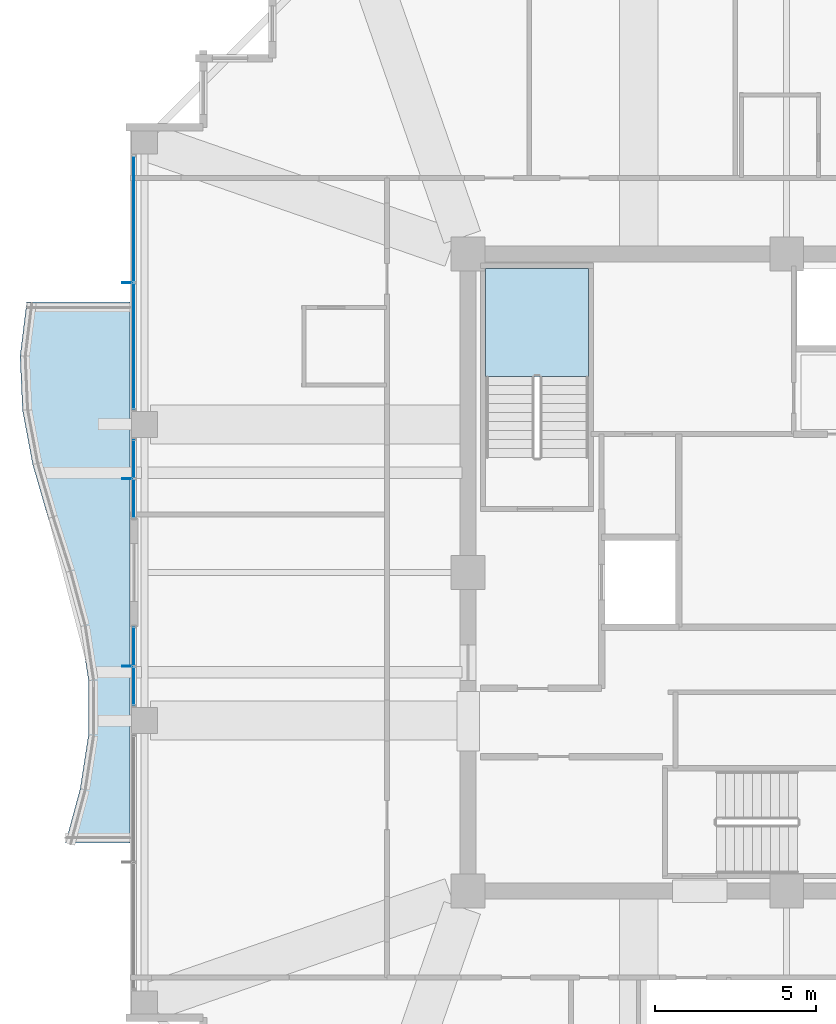
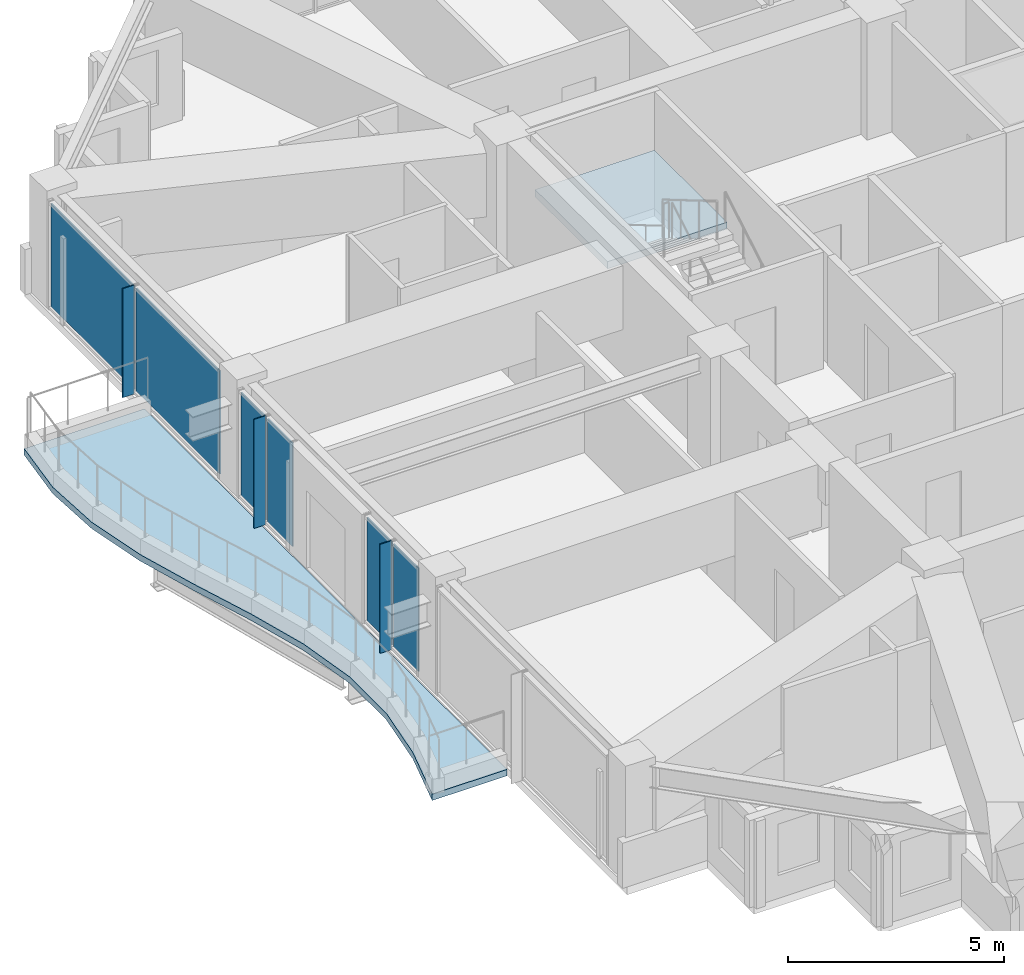
# One storey, part 24 of 35: 9 plates, 2 slabs, 4 elements without a shape of their own.
"""IFC4 building model written with IfcOpenShell, lengths in metres."""

from ifc_helpers import new_model, si_unit, direction, frame, origin, origin_2d, place, context, subcontext, project, spatial, polyline, rectangle, outline, extrude, material, layer, layer_set, type_object, element, aggregate, save


model = new_model("IFC4")

# Units and contexts
model_context = context("Model", 3, precision=1e-05, world=origin(), true_north=direction((0.0, 1.0)))
body_context = subcontext(model_context, "Body", "Model", "MODEL_VIEW")
ifc_project = project(units=[si_unit("LENGTHUNIT", "METRE"), si_unit("AREAUNIT", "SQUARE_METRE"), si_unit("VOLUMEUNIT", "CUBIC_METRE"), si_unit("PLANEANGLEUNIT", "RADIAN"), si_unit("MASSUNIT", "GRAM", prefix="KILO")], contexts=[model_context])

# Site, building, storey
site_placement = place(None, origin())
site = spatial("IfcSite", under=ifc_project, at=site_placement, CompositionType="ELEMENT")
building_placement = place(site_placement, origin())
building = spatial("IfcBuilding", under=site, at=building_placement, Name="Kolvaren Belvedere", CompositionType="ELEMENT")
storey_placement = place(building_placement, frame((0.0, 0.0, 203.10009765625)))
storey = spatial("IfcBuildingStorey", under=building, at=storey_placement, Name="L59", CompositionType="ELEMENT", Elevation=203.10009765625)

# Curtain wall, plates
ifc_material_1 = material(Name="Anodised pale-metal aluminium AA 6063-T6", Category="aluminium")
curtain_wall_type = type_object("IfcCurtainWallType", Name="CW-Z5-HIGH", PredefinedType="NOTDEFINED", material=ifc_material_1)
curtain_wall_1_placement = place(storey_placement, origin())
curtain_wall_1 = element("IfcCurtainWall", 1, at=curtain_wall_1_placement, inside=storey, type_object=curtain_wall_type, Name="L59 Unitised Curtain Wall FCW-L59-W1-B2", PredefinedType="NOTDEFINED")
ifc_material_2 = material(Name="Low-iron triple insulated glass", Category="glass")
ifc_layer_1 = layer(ifc_material_2, 0.028076171875)
ifc_layer_set_1 = layer_set([ifc_layer_1], Name="Low-iron triple insulated glass")
plate_type_1 = type_object("IfcPlateType", Name="CW-PNL-VIS28", PredefinedType="CURTAIN_PANEL", material=ifc_layer_set_1)
plate_1_placement = place(storey_placement, frame((-20.280029296875, -3.52880859375, 0.079833984375), z_axis=(0.0, 0.0, 1.0), x_axis=(0.0, 1.0, 0.0)))
plate_1 = element("IfcPlate", 2, at=plate_1_placement, type_object=plate_type_1, Name="FCW-L59-W1-B2 Vision Glazing Panel 1", PredefinedType="CURTAIN_PANEL", context=body_context, shape_type="SweptSolid", body=[
    extrude(rectangle(XDim=1.152587890625, YDim=0.028076171875, at=origin_2d()), origin(), (0.0, 0.0, 1.0), 2.919921875),
])
plate_2_placement = place(storey_placement, frame((-20.280029296875, -2.296142578125, 0.079833984375), z_axis=(0.0, 0.0, 1.0), x_axis=(0.0, 1.0, 0.0)))
plate_2 = element("IfcPlate", 3, at=plate_2_placement, type_object=plate_type_1, Name="FCW-L59-W1-B2 Vision Glazing Panel 2", PredefinedType="CURTAIN_PANEL", context=body_context, shape_type="SweptSolid", body=[
    extrude(rectangle(XDim=1.152587890625, YDim=0.028076171875, at=origin_2d()), origin(), (0.0, 0.0, 1.0), 2.919921875),
])
aggregate(curtain_wall_1, [plate_1, plate_2])

curtain_wall_2_placement = place(storey_placement, origin())
curtain_wall_2 = element("IfcCurtainWall", 4, at=curtain_wall_2_placement, inside=storey, type_object=curtain_wall_type, Name="L59 Unitised Curtain Wall FCW-L59-W2-B1", PredefinedType="NOTDEFINED")
plate_3_placement = place(storey_placement, frame((-20.280029296875, 2.296142578125, 0.079833984375), z_axis=(0.0, 0.0, 1.0), x_axis=(0.0, 1.0, 0.0)))
plate_3 = element("IfcPlate", 5, at=plate_3_placement, type_object=plate_type_1, Name="FCW-L59-W2-B1 Vision Glazing Panel 1", PredefinedType="CURTAIN_PANEL", context=body_context, shape_type="SweptSolid", body=[
    extrude(rectangle(XDim=1.152587890625, YDim=0.028076171875, at=origin_2d()), origin(), (0.0, 0.0, 1.0), 2.919921875),
])
plate_4_placement = place(storey_placement, frame((-20.280029296875, 3.52880859375, 0.079833984375), z_axis=(0.0, 0.0, 1.0), x_axis=(0.0, 1.0, 0.0)))
plate_4 = element("IfcPlate", 6, at=plate_4_placement, type_object=plate_type_1, Name="FCW-L59-W2-B1 Vision Glazing Panel 2", PredefinedType="CURTAIN_PANEL", context=body_context, shape_type="SweptSolid", body=[
    extrude(rectangle(XDim=1.152587890625, YDim=0.028076171875, at=origin_2d()), origin(), (0.0, 0.0, 1.0), 2.919921875),
])
aggregate(curtain_wall_2, [plate_3, plate_4])

curtain_wall_3_placement = place(storey_placement, origin())
curtain_wall_3 = element("IfcCurtainWall", 7, at=curtain_wall_3_placement, inside=storey, type_object=curtain_wall_type, Name="L59 Unitised Curtain Wall FCW-L59-W2-B2", PredefinedType="NOTDEFINED")
plate_5_placement = place(storey_placement, frame((-20.280029296875, 7.027587890625, 0.079833984375), z_axis=(0.0, 0.0, 1.0), x_axis=(0.0, 1.0, 0.0)))
plate_5 = element("IfcPlate", 8, at=plate_5_placement, type_object=plate_type_1, Name="FCW-L59-W2-B2 Vision Glazing Panel 1", PredefinedType="CURTAIN_PANEL", context=body_context, shape_type="SweptSolid", body=[
    extrude(rectangle(XDim=3.864990234375, YDim=0.028076171875, at=origin_2d()), origin(), (0.0, 0.0, 1.0), 2.919921875),
])
plate_6_placement = place(storey_placement, frame((-20.280029296875, 10.972412109375, 0.079833984375), z_axis=(0.0, 0.0, 1.0), x_axis=(0.0, 1.0, 0.0)))
plate_6 = element("IfcPlate", 9, at=plate_6_placement, type_object=plate_type_1, Name="FCW-L59-W2-B2 Vision Glazing Panel 2", PredefinedType="CURTAIN_PANEL", context=body_context, shape_type="SweptSolid", body=[
    extrude(rectangle(XDim=3.864990234375, YDim=0.028076171875, at=origin_2d()), origin(), (0.0, 0.0, 1.0), 2.919921875),
])
aggregate(curtain_wall_3, [plate_5, plate_6])

# Plates
ifc_material_3 = material(Name="Anodised pale-metal aluminium AA 6063-T6", Category="aluminium")
ifc_layer_2 = layer(ifc_material_3, 0.030029296875)
ifc_layer_set_2 = layer_set([ifc_layer_2], Name="Anodised pale-metal aluminium AA 6063-T6")
plate_type_2 = type_object("IfcPlateType", Name="FIN-VERT-300", PredefinedType="USERDEFINED", material=ifc_layer_set_2)
for number, where, z_axis, x_axis, name in (
    (10, (-20.489990234375, -2.91259765625, -0.000244140625), (0.0, 0.0, 1.0), (1.0, 0.0, 0.0), "L59 Pale-Metal Vertical Shading Fin FCW-L59-W1-B2-1"),
    (11, (-20.489990234375, 2.91259765625, -0.000244140625), (0.0, 0.0, 1.0), (1.0, 0.0, 0.0), "L59 Pale-Metal Vertical Shading Fin FCW-L59-W2-B1-1"),
    (12, (-20.489990234375, 9.0, -0.000244140625), (0.0, 0.0, 1.0), (1.0, 0.0, 0.0), "L59 Pale-Metal Vertical Shading Fin FCW-L59-W2-B2-1"),
):
    element("IfcPlate", number, at=place(storey_placement, frame(where, z_axis=z_axis, x_axis=x_axis)), inside=storey, type_object=plate_type_2, Name=name, ObjectType="VERTICAL FIN", PredefinedType="USERDEFINED", context=body_context, shape_type="SweptSolid", body=[
        extrude(rectangle(XDim=0.300048828125, YDim=0.030029296875, at=origin_2d()), origin(), (0.0, 0.0, 1.0), 3.080078125),
    ])

# Slab
ifc_material_4 = material(Name="Concrete C50/60", Category="concrete")
ifc_layer_3 = layer(ifc_material_4, 0.179931640625)
ifc_layer_set_3 = layer_set([ifc_layer_3], Name="Concrete C50/60")
slab_type_1 = type_object("IfcSlabType", Name="SL-BAL-180", PredefinedType="FLOOR", material=ifc_layer_set_3)
slab_1_placement = place(storey_placement, frame((0.0, 0.0, -0.22021484375)))
element("IfcSlab", 13, at=slab_1_placement, inside=storey, type_object=slab_type_1, Name="L59 Planted Balcony BAL-W", PredefinedType="FLOOR", context=body_context, shape_type="SweptSolid", body=[
    extrude(outline(polyline([(-23.61376953125, 8.39990234375), (-23.820068359375, 6.719970703125), (-23.744140625, 5.0400390625), (-23.428466796875, 3.360107421875), (-22.9423828125, 1.679931640625), (-22.40625, 0.0), (-21.95263671875, -1.679931640625), (-21.69384765625, -3.360107421875), (-21.69384765625, -5.0400390625), (-21.95263671875, -6.719970703125), (-22.40625, -8.39990234375), (-20.39990234375, -8.39990234375), (-20.39990234375, -6.719970703125), (-20.39990234375, -5.0400390625), (-20.39990234375, -3.360107421875), (-20.39990234375, -1.679931640625), (-20.39990234375, 0.0), (-20.39990234375, 1.679931640625), (-20.39990234375, 3.360107421875), (-20.39990234375, 5.0400390625), (-20.39990234375, 6.719970703125), (-20.39990234375, 8.39990234375), (-23.61376953125, 8.39990234375)])), origin(), (0.0, 0.0, 1.0), 0.18017578125),
])

# Stair, slab
ifc_material_5 = material(Name="Concrete C50/60", Category="concrete")
stair_type = type_object("IfcStairType", Name="ST-CORE-1520", PredefinedType="HALF_TURN_STAIR", material=ifc_material_5)
stair_placement = place(storey_placement, origin())
stair = element("IfcStair", 14, at=stair_placement, inside=storey, type_object=stair_type, Name="L59 Protected Exit Stair ST-1", PredefinedType="HALF_TURN_STAIR")
ifc_material_6 = material(Name="Concrete C50/60", Category="concrete")
ifc_layer_4 = layer(ifc_material_6, 0.260009765625)
ifc_layer_set_4 = layer_set([ifc_layer_4], Name="Concrete C50/60")
slab_type_2 = type_object("IfcSlabType", Name="SL-LAND-260", PredefinedType="LANDING", material=ifc_layer_set_4)
slab_2_placement = place(storey_placement, frame((0.0, 0.0, 1.449951171875)))
slab_2 = element("IfcSlab", 15, at=slab_2_placement, type_object=slab_type_2, Name="ST-1 landing 1", PredefinedType="LANDING", context=body_context, shape_type="SweptSolid", body=[
    extrude(outline(polyline([(-6.159912109375, 6.090087890625), (-6.159912109375, 9.449951171875), (-9.35009765625, 9.449951171875), (-9.35009765625, 6.090087890625), (-6.159912109375, 6.090087890625)])), origin(), (0.0, 0.0, 1.0), 0.199951171875),
])
aggregate(stair, [slab_2])

save(model, "model.ifc")
